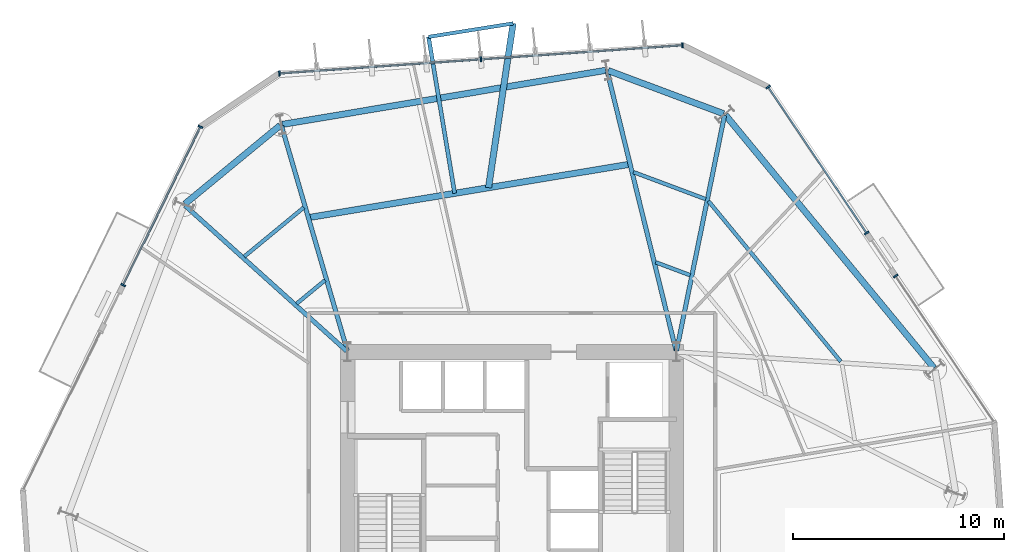
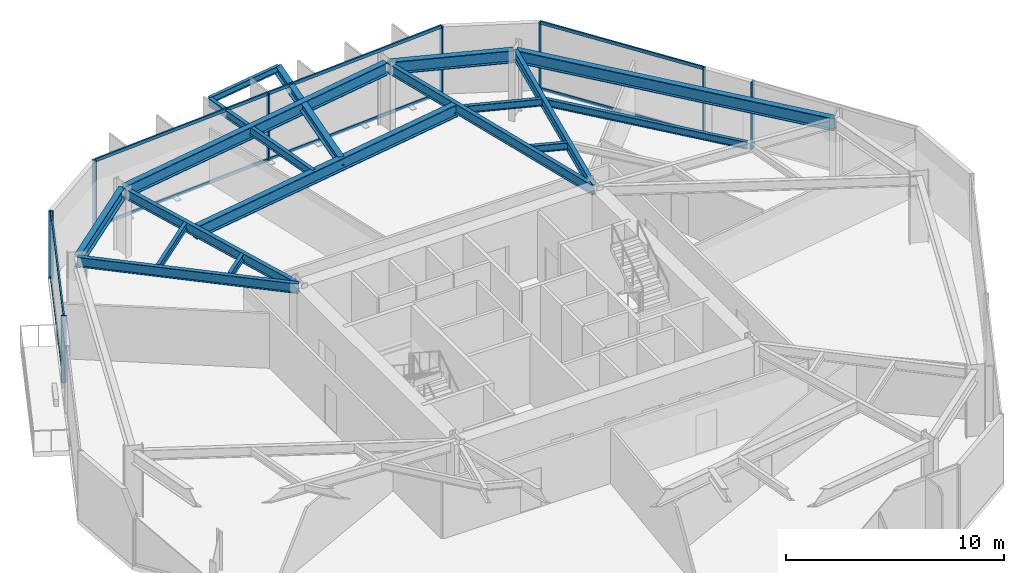
# One storey, part 4 of 10: 17 beams, 16 members, 4 elements without a shape of their own.
"""IFC4 building model written with IfcOpenShell, lengths in metres."""

from ifc_helpers import new_model, si_unit, direction, frame, origin, origin_2d, place, context, subcontext, project, spatial, rectangle, i_section, extrude, material, layer, layer_set, material_profile, profile_set, type_object, element, aggregate, save


model = new_model("IFC4")

# Units and contexts
model_context = context("Model", 3, precision=1e-05, world=origin(), true_north=direction((0.0, 1.0)))
body_context = subcontext(model_context, "Body", "Model", "MODEL_VIEW")
ifc_project = project(units=[si_unit("LENGTHUNIT", "METRE"), si_unit("AREAUNIT", "SQUARE_METRE"), si_unit("VOLUMEUNIT", "CUBIC_METRE"), si_unit("PLANEANGLEUNIT", "RADIAN"), si_unit("MASSUNIT", "GRAM", prefix="KILO")], contexts=[model_context])

# Site, building, storey
site_placement = place(None, origin())
site = spatial("IfcSite", under=ifc_project, at=site_placement, CompositionType="ELEMENT")
building_placement = place(site_placement, origin())
building = spatial("IfcBuilding", under=site, at=building_placement, Name="Kranzbogen Civic Tower", CompositionType="ELEMENT")
storey_placement = place(building_placement, frame((0.0, 0.0, 36.0)))
storey = spatial("IfcBuildingStorey", under=building, at=storey_placement, Name="L08", CompositionType="ELEMENT", Elevation=36.0)

# Beam
ifc_material_1 = material(Name="Steel S355", Category="steel")
ifc_material_profile_1 = material_profile(ifc_material_1, i_section(OverallWidth=0.18994140625, OverallDepth=0.449951171875, WebThickness=0.009521484375, FlangeThickness=0.0146484375, at=origin_2d()), Name="IPE 450")
ifc_profile_set_1 = profile_set([ifc_material_profile_1], Name="Steel S355")
beam_type_1 = type_object("IfcBeamType", Name="Braced Terrace Edge Beam IPE 450", PredefinedType="BEAM", material=ifc_profile_set_1)
beam_1_placement = place(storey_placement, frame((22.279052734375, 39.72705078125, 3.52490234375), z_axis=(-0.164972184398, 0.986298219797, 0.0), x_axis=(-0.986298219797, -0.164972184398, 0.0)))
element("IfcBeam", 1, at=beam_1_placement, inside=storey, type_object=beam_type_1, Name="L09 back-spanned terrace beam L09-TB1-2", PredefinedType="BEAM", context=body_context, shape_type="SweptSolid", body=[
    extrude(i_section(OverallWidth=0.18994140625, OverallDepth=0.449951171875, WebThickness=0.009521484375, FlangeThickness=0.0146484375, at=origin_2d()), origin(), (0.0, 0.0, 1.0), 7.5283203125),
])

# Curtain wall, member
ifc_material_2 = material(Name="Pale Anodised Aluminium", Category="aluminium")
ifc_layer = layer(ifc_material_2, 0.219970703125, Name="Pale Anodised Aluminium")
ifc_layer_set = layer_set([ifc_layer], Name="Pale Anodised Aluminium")
curtain_wall_type = type_object("IfcCurtainWallType", Name="Zone 1 Stick Curtain Wall System CW-02", PredefinedType="USERDEFINED", material=ifc_layer_set)
curtain_wall_1_placement = place(storey_placement, origin())
curtain_wall_1 = element("IfcCurtainWall", 2, at=curtain_wall_1_placement, inside=storey, type_object=curtain_wall_type, Name="L08 curtain wall CW-L08-F1-S1", ObjectType="STICK CURTAIN WALL", PredefinedType="USERDEFINED")
ifc_material_profile_2 = material_profile(ifc_material_2, rectangle(XDim=0.080078125, YDim=0.239990234375, at=origin_2d()), Name="ALU-M 80x240")
ifc_profile_set_2 = profile_set([ifc_material_profile_2], Name="Pale Anodised Aluminium")
member_type_1 = type_object("IfcMemberType", Name="Curtain Wall Mullion ALU-M 80x240", PredefinedType="MULLION", material=ifc_profile_set_2)
member_1_placement = place(storey_placement, frame((43.209716796875, 35.799072265625, 0.0), z_axis=(0.0, 0.0, 1.0), x_axis=(-0.559187234203, 0.829041396496, 0.0)))
member_1 = element("IfcMember", 3, at=member_1_placement, type_object=member_type_1, Name="CW-02 mullion 2", PredefinedType="MULLION", context=body_context, shape_type="SweptSolid", body=[
    extrude(rectangle(XDim=0.080078125, YDim=0.239990234375, at=origin_2d()), origin(), (0.0, 0.0, 1.0), 3.760009765625),
])
aggregate(curtain_wall_1, [member_1])

# Curtain wall, members
curtain_wall_2_placement = place(storey_placement, origin())
curtain_wall_2 = element("IfcCurtainWall", 4, at=curtain_wall_2_placement, inside=storey, type_object=curtain_wall_type, Name="L08 curtain wall CW-L08-F1-S2", ObjectType="STICK CURTAIN WALL", PredefinedType="USERDEFINED")
member_2_placement = place(storey_placement, frame((41.834228515625, 37.8388671875, 0.0), z_axis=(0.0, 0.0, 1.0), x_axis=(-0.559187234203, 0.829041396496, 0.0)))
member_2 = element("IfcMember", 5, at=member_2_placement, type_object=member_type_1, Name="CW-02 mullion 1", PredefinedType="MULLION", context=body_context, shape_type="SweptSolid", body=[
    extrude(rectangle(XDim=0.080078125, YDim=0.239990234375, at=origin_2d()), origin(), (0.0, 0.0, 1.0), 3.760009765625),
])
member_3_placement = place(storey_placement, frame((37.15966796875, 44.76904296875, 0.0), z_axis=(0.0, 0.0, 1.0), x_axis=(-0.559187234203, 0.829041396496, 0.0)))
member_3 = element("IfcMember", 6, at=member_3_placement, type_object=member_type_1, Name="CW-02 mullion 2", PredefinedType="MULLION", context=body_context, shape_type="SweptSolid", body=[
    extrude(rectangle(XDim=0.080078125, YDim=0.239990234375, at=origin_2d()), origin(), (0.0, 0.0, 1.0), 3.760009765625),
])

curtain_wall_3_placement = place(storey_placement, origin())
curtain_wall_3 = element("IfcCurtainWall", 7, at=curtain_wall_3_placement, inside=storey, type_object=curtain_wall_type, Name="L08 curtain wall CW-L08-F2", ObjectType="STICK CURTAIN WALL", PredefinedType="USERDEFINED")
member_4_placement = place(storey_placement, frame((33.092041015625, 46.7529296875, 0.0), z_axis=(0.0, 0.0, 1.0), x_axis=(-0.997564178208, -0.069754643976, 0.0)))
member_4 = element("IfcMember", 8, at=member_4_placement, type_object=member_type_1, Name="CW-02 mullion 1", PredefinedType="MULLION", context=body_context, shape_type="SweptSolid", body=[
    extrude(rectangle(XDim=0.080078125, YDim=0.239990234375, at=origin_2d()), origin(), (0.0, 0.0, 1.0), 3.760009765625),
])
member_5_placement = place(storey_placement, frame((23.52587890625, 46.083984375, 0.0), z_axis=(0.0, 0.0, 1.0), x_axis=(-0.997564178208, -0.069754643976, 0.0)))
member_5 = element("IfcMember", 9, at=member_5_placement, type_object=member_type_1, Name="CW-02 mullion 2", PredefinedType="MULLION", context=body_context, shape_type="SweptSolid", body=[
    extrude(rectangle(XDim=0.080078125, YDim=0.239990234375, at=origin_2d()), origin(), (0.0, 0.0, 1.0), 3.760009765625),
])
member_6_placement = place(storey_placement, frame((13.9599609375, 45.4150390625, 0.0), z_axis=(0.0, 0.0, 1.0), x_axis=(-0.997564178208, -0.069754643976, 0.0)))
member_6 = element("IfcMember", 10, at=member_6_placement, type_object=member_type_1, Name="CW-02 mullion 3", PredefinedType="MULLION", context=body_context, shape_type="SweptSolid", body=[
    extrude(rectangle(XDim=0.080078125, YDim=0.239990234375, at=origin_2d()), origin(), (0.0, 0.0, 1.0), 3.760009765625),
])

curtain_wall_4_placement = place(storey_placement, origin())
curtain_wall_4 = element("IfcCurtainWall", 11, at=curtain_wall_4_placement, inside=storey, type_object=curtain_wall_type, Name="L08 curtain wall CW-L08-F3-S1", ObjectType="STICK CURTAIN WALL", PredefinedType="USERDEFINED")
member_7_placement = place(storey_placement, frame((10.207763671875, 42.884033203125, 0.0), z_axis=(0.0, 0.0, 1.0), x_axis=(-0.438355774113, -0.898801543892, 0.0)))
member_7 = element("IfcMember", 12, at=member_7_placement, type_object=member_type_1, Name="CW-02 mullion 1", PredefinedType="MULLION", context=body_context, shape_type="SweptSolid", body=[
    extrude(rectangle(XDim=0.080078125, YDim=0.239990234375, at=origin_2d()), origin(), (0.0, 0.0, 1.0), 3.760009765625),
])
member_8_placement = place(storey_placement, frame((6.543212890625, 35.369873046875, 0.0), z_axis=(0.0, 0.0, 1.0), x_axis=(-0.438355774113, -0.898801543892, 0.0)))
member_8 = element("IfcMember", 13, at=member_8_placement, type_object=member_type_1, Name="CW-02 mullion 2", PredefinedType="MULLION", context=body_context, shape_type="SweptSolid", body=[
    extrude(rectangle(XDim=0.080078125, YDim=0.239990234375, at=origin_2d()), origin(), (0.0, 0.0, 1.0), 3.760009765625),
])

# Member
ifc_material_profile_3 = material_profile(ifc_material_2, rectangle(XDim=0.080078125, YDim=0.179931640625, at=origin_2d()), Name="ALU-T 80x180")
ifc_profile_set_3 = profile_set([ifc_material_profile_3], Name="Pale Anodised Aluminium")
member_type_2 = type_object("IfcMemberType", Name="Curtain Wall Transom ALU-T 80x180", PredefinedType="USERDEFINED", material=ifc_profile_set_3)
member_9_placement = place(storey_placement, frame((41.8173828125, 37.86376953125, 0.030029296875), z_axis=(-0.559192923252, 0.829037559213, 0.0), x_axis=(-0.829037559213, -0.559192923252, 0.0)))
member_9 = element("IfcMember", 14, at=member_9_placement, type_object=member_type_2, Name="CW-02 transom 1.1", ObjectType="TRANSOM", PredefinedType="USERDEFINED", context=body_context, shape_type="SweptSolid", body=[
    extrude(rectangle(XDim=0.080078125, YDim=0.179931640625, at=origin_2d()), origin(), (0.0, 0.0, 1.0), 8.29931640625),
])

member_10_placement = place(storey_placement, frame((41.8173828125, 37.86376953125, 3.72998046875), z_axis=(-0.559192923252, 0.829037559213, 0.0), x_axis=(-0.829037559213, -0.559192923252, 0.0)))
member_10 = element("IfcMember", 15, at=member_10_placement, type_object=member_type_2, Name="CW-02 transom 1.2", ObjectType="TRANSOM", PredefinedType="USERDEFINED", context=body_context, shape_type="SweptSolid", body=[
    extrude(rectangle(XDim=0.080078125, YDim=0.179931640625, at=origin_2d()), origin(), (0.0, 0.0, 1.0), 8.29931640625),
])

aggregate(curtain_wall_2, [member_2, member_3, member_9, member_10])

member_11_placement = place(storey_placement, frame((33.062255859375, 46.750732421875, 0.030029296875), z_axis=(-0.997565494445, -0.069735817861, 0.0), x_axis=(0.069735817861, -0.997565494445, 0.0)))
member_11 = element("IfcMember", 16, at=member_11_placement, type_object=member_type_2, Name="CW-02 transom 1.1", ObjectType="TRANSOM", PredefinedType="USERDEFINED", context=body_context, shape_type="SweptSolid", body=[
    extrude(rectangle(XDim=0.080078125, YDim=0.179931640625, at=origin_2d()), origin(), (0.0, 0.0, 1.0), 9.529541015625),
])

member_12_placement = place(storey_placement, frame((33.062255859375, 46.750732421875, 3.72998046875), z_axis=(-0.997565494445, -0.069735817861, 0.0), x_axis=(0.069735817861, -0.997565494445, 0.0)))
member_12 = element("IfcMember", 17, at=member_12_placement, type_object=member_type_2, Name="CW-02 transom 1.2", ObjectType="TRANSOM", PredefinedType="USERDEFINED", context=body_context, shape_type="SweptSolid", body=[
    extrude(rectangle(XDim=0.080078125, YDim=0.179931640625, at=origin_2d()), origin(), (0.0, 0.0, 1.0), 9.529541015625),
])

member_13_placement = place(storey_placement, frame((23.49609375, 46.081787109375, 0.030029296875), z_axis=(-0.997565494445, -0.069735817861, 0.0), x_axis=(0.069735817861, -0.997565494445, 0.0)))
member_13 = element("IfcMember", 18, at=member_13_placement, type_object=member_type_2, Name="CW-02 transom 2.1", ObjectType="TRANSOM", PredefinedType="USERDEFINED", context=body_context, shape_type="SweptSolid", body=[
    extrude(rectangle(XDim=0.080078125, YDim=0.179931640625, at=origin_2d()), origin(), (0.0, 0.0, 1.0), 9.529541015625),
])

member_14_placement = place(storey_placement, frame((23.49609375, 46.081787109375, 3.72998046875), z_axis=(-0.997565494445, -0.069735817861, 0.0), x_axis=(0.069735817861, -0.997565494445, 0.0)))
member_14 = element("IfcMember", 19, at=member_14_placement, type_object=member_type_2, Name="CW-02 transom 2.2", ObjectType="TRANSOM", PredefinedType="USERDEFINED", context=body_context, shape_type="SweptSolid", body=[
    extrude(rectangle(XDim=0.080078125, YDim=0.179931640625, at=origin_2d()), origin(), (0.0, 0.0, 1.0), 9.529541015625),
])

aggregate(curtain_wall_3, [member_4, member_5, member_6, member_11, member_12, member_13, member_14])

member_15_placement = place(storey_placement, frame((10.194580078125, 42.857177734375, 0.030029296875), z_axis=(-0.438332065158, -0.898813106632, 0.0), x_axis=(0.898813106632, -0.438332065158, 0.0)))
member_15 = element("IfcMember", 20, at=member_15_placement, type_object=member_type_2, Name="CW-02 transom 1.1", ObjectType="TRANSOM", PredefinedType="USERDEFINED", context=body_context, shape_type="SweptSolid", body=[
    extrude(rectangle(XDim=0.080078125, YDim=0.179931640625, at=origin_2d()), origin(), (0.0, 0.0, 1.0), 8.300048828125),
])

member_16_placement = place(storey_placement, frame((10.194580078125, 42.857177734375, 3.72998046875), z_axis=(-0.438332065158, -0.898813106632, 0.0), x_axis=(0.898813106632, -0.438332065158, 0.0)))
member_16 = element("IfcMember", 21, at=member_16_placement, type_object=member_type_2, Name="CW-02 transom 1.2", ObjectType="TRANSOM", PredefinedType="USERDEFINED", context=body_context, shape_type="SweptSolid", body=[
    extrude(rectangle(XDim=0.080078125, YDim=0.179931640625, at=origin_2d()), origin(), (0.0, 0.0, 1.0), 8.300048828125),
])

aggregate(curtain_wall_4, [member_7, member_8, member_15, member_16])

# Beams
ifc_material_profile_4 = material_profile(ifc_material_1, i_section(OverallWidth=0.300048828125, OverallDepth=0.5, WebThickness=0.014404296875, FlangeThickness=0.028076171875, at=origin_2d()), Name="HEB 500")
ifc_profile_set_4 = profile_set([ifc_material_profile_4], Name="Steel S355")
beam_type_2 = type_object("IfcBeamType", Name="Perimeter Tube Spandrel Beam HEB 500", PredefinedType="SPANDREL", material=ifc_profile_set_4)
beam_2_placement = place(storey_placement, frame((23.885986328125, 39.993896484375, 3.5), z_axis=(0.148123939949, 0.988968805582, 0.0), x_axis=(-0.988968805582, 0.148123939949, 0.0)))
element("IfcBeam", 22, at=beam_2_placement, inside=storey, type_object=beam_type_2, Name="L09 back-spanned terrace beam L09-TB1-1", PredefinedType="SPANDREL", context=body_context, shape_type="SweptSolid", body=[
    extrude(i_section(OverallWidth=0.300048828125, OverallDepth=0.5, WebThickness=0.014404296875, FlangeThickness=0.028076171875, at=origin_2d()), origin(), (0.0, 0.0, 1.0), 7.885009765625),
])
ifc_material_profile_5 = material_profile(ifc_material_1, i_section(OverallWidth=0.300048828125, OverallDepth=0.699951171875, WebThickness=0.01708984375, FlangeThickness=0.031982421875, at=origin_2d()), Name="HEB 700")
ifc_profile_set_5 = profile_set([ifc_material_profile_5], Name="Steel S355")
beam_type_3 = type_object("IfcBeamType", Name="Perimeter Tube Spandrel Beam HEB 700", PredefinedType="SPANDREL", material=ifc_profile_set_5)
beam_3_placement = place(storey_placement, frame((45.033935546875, 31.431884765625, 3.409912109375), z_axis=(-0.636074572579, 0.771627590304, 0.0), x_axis=(-0.771627590304, -0.636074572579, 0.0)))
element("IfcBeam", 23, at=beam_3_placement, inside=storey, type_object=beam_type_3, Name="L08 perimeter spandrel beam 08", PredefinedType="SPANDREL", context=body_context, shape_type="SweptSolid", body=[
    extrude(i_section(OverallWidth=0.300048828125, OverallDepth=0.699951171875, WebThickness=0.01708984375, FlangeThickness=0.031982421875, at=origin_2d()), origin(), (0.0, 0.0, 1.0), 15.5595703125),
])
beam_4_placement = place(storey_placement, frame((35.04296875, 43.5048828125, 3.409912109375), z_axis=(-0.936647646965, 0.350273015568, 0.0), x_axis=(-0.350273015568, -0.936647646965, 0.0)))
element("IfcBeam", 24, at=beam_4_placement, inside=storey, type_object=beam_type_3, Name="L08 perimeter spandrel beam 09", PredefinedType="SPANDREL", context=body_context, shape_type="SweptSolid", body=[
    extrude(i_section(OverallWidth=0.300048828125, OverallDepth=0.699951171875, WebThickness=0.01708984375, FlangeThickness=0.031982421875, at=origin_2d()), origin(), (0.0, 0.0, 1.0), 5.852783203125),
])
beam_5_placement = place(storey_placement, frame((29.446044921875, 45.56591796875, 3.409912109375), z_axis=(-0.986285563243, -0.165047834697, 0.0), x_axis=(0.165047834697, -0.986285563243, 0.0)))
element("IfcBeam", 25, at=beam_5_placement, inside=storey, type_object=beam_type_3, Name="L08 perimeter spandrel beam 10", PredefinedType="SPANDREL", context=body_context, shape_type="SweptSolid", body=[
    extrude(i_section(OverallWidth=0.300048828125, OverallDepth=0.699951171875, WebThickness=0.01708984375, FlangeThickness=0.031982421875, at=origin_2d()), origin(), (0.0, 0.0, 1.0), 15.558349609375),
])
beam_6_placement = place(storey_placement, frame((13.99609375, 42.949951171875, 3.409912109375), z_axis=(-0.77168336865, -0.636006901337, 0.0), x_axis=(0.636006901337, -0.77168336865, 0.0)))
element("IfcBeam", 26, at=beam_6_placement, inside=storey, type_object=beam_type_3, Name="L08 perimeter spandrel beam 11", PredefinedType="SPANDREL", context=body_context, shape_type="SweptSolid", body=[
    extrude(i_section(OverallWidth=0.300048828125, OverallDepth=0.699951171875, WebThickness=0.01708984375, FlangeThickness=0.031982421875, at=origin_2d()), origin(), (0.0, 0.0, 1.0), 5.853515625),
])
beam_7_placement = place(storey_placement, frame((30.60498046875, 41.110107421875, 3.39990234375), z_axis=(-0.9864781902, -0.163892587571, 0.0), x_axis=(0.163892587571, -0.9864781902, 0.0)))
element("IfcBeam", 27, at=beam_7_placement, inside=storey, type_object=beam_type_3, Name="L09 balcony back-span header girder L09-TB1", PredefinedType="SPANDREL", context=body_context, shape_type="SweptSolid", body=[
    extrude(i_section(OverallWidth=0.300048828125, OverallDepth=0.699951171875, WebThickness=0.01708984375, FlangeThickness=0.031982421875, at=origin_2d()), origin(), (0.0, 0.0, 1.0), 15.480224609375),
])
ifc_material_profile_6 = material_profile(ifc_material_1, i_section(OverallWidth=0.2099609375, OverallDepth=0.550048828125, WebThickness=0.010986328125, FlangeThickness=0.01708984375, at=origin_2d()), Name="IPE 550")
ifc_profile_set_6 = profile_set([ifc_material_profile_6], Name="Steel S355")
beam_type_4 = type_object("IfcBeamType", Name="Radial Tower Floor Girder IPE 550", PredefinedType="BEAM", material=ifc_profile_set_6)
beam_8_placement = place(storey_placement, frame((35.0869140625, 43.425048828125, 3.485107421875), z_axis=(-0.199633433694, -0.979870650725, 0.0), x_axis=(0.979870650725, -0.199633433694, 0.0)))
element("IfcBeam", 28, at=beam_8_placement, inside=storey, type_object=beam_type_4, Name="L08 radial floor girder 09", PredefinedType="BEAM", context=body_context, shape_type="SweptSolid", body=[
    extrude(i_section(OverallWidth=0.2099609375, OverallDepth=0.550048828125, WebThickness=0.010986328125, FlangeThickness=0.01708984375, at=origin_2d()), origin(), (0.0, 0.0, 1.0), 11.3955078125),
])
beam_9_placement = place(storey_placement, frame((29.51904296875, 45.51806640625, 3.485107421875), z_axis=(0.239215348776, -0.970966537482, 0.0), x_axis=(0.970966537482, 0.239215348776, 0.0)))
element("IfcBeam", 29, at=beam_9_placement, inside=storey, type_object=beam_type_4, Name="L08 radial floor girder 10", PredefinedType="BEAM", context=body_context, shape_type="SweptSolid", body=[
    extrude(i_section(OverallWidth=0.2099609375, OverallDepth=0.550048828125, WebThickness=0.010986328125, FlangeThickness=0.01708984375, at=origin_2d()), origin(), (0.0, 0.0, 1.0), 13.656494140625),
])
beam_10_placement = place(storey_placement, frame((14.05908203125, 42.929931640625, 3.485107421875), z_axis=(0.280944131918, -0.959724124288, 0.0), x_axis=(0.959724124288, 0.280944131918, 0.0)))
element("IfcBeam", 30, at=beam_10_placement, inside=storey, type_object=beam_type_4, Name="L08 radial floor girder 11", PredefinedType="BEAM", context=body_context, shape_type="SweptSolid", body=[
    extrude(i_section(OverallWidth=0.2099609375, OverallDepth=0.550048828125, WebThickness=0.010986328125, FlangeThickness=0.01708984375, at=origin_2d()), origin(), (0.0, 0.0, 1.0), 11.11962890625),
])
beam_11_placement = place(storey_placement, frame((9.47802734375, 39.14892578125, 3.485107421875), z_axis=(0.743311776894, -0.668945141496, 0.0), x_axis=(0.668945141496, 0.743311776894, 0.0)))
element("IfcBeam", 31, at=beam_11_placement, inside=storey, type_object=beam_type_4, Name="L08 radial floor girder 12", PredefinedType="BEAM", context=body_context, shape_type="SweptSolid", body=[
    extrude(i_section(OverallWidth=0.2099609375, OverallDepth=0.550048828125, WebThickness=0.010986328125, FlangeThickness=0.01708984375, at=origin_2d()), origin(), (0.0, 0.0, 1.0), 10.328125),
])
ifc_material_profile_7 = material_profile(ifc_material_1, i_section(OverallWidth=0.169921875, OverallDepth=0.360107421875, WebThickness=0.008056640625, FlangeThickness=0.0126953125, at=origin_2d()), Name="IPE 360")
ifc_profile_set_7 = profile_set([ifc_material_profile_7], Name="Steel S355")
beam_type_5 = type_object("IfcBeamType", Name="Secondary Composite Floor Joist IPE 360", PredefinedType="JOIST", material=ifc_profile_set_7)
beam_12_placement = place(storey_placement, frame((25.053955078125, 47.7919921875, 3.570068359375), z_axis=(-0.987547900495, -0.157318607378, 0.0), x_axis=(0.157318607378, -0.987547900495, 0.0)))
element("IfcBeam", 32, at=beam_12_placement, inside=storey, type_object=beam_type_5, Name="L09 terrace outer edge trimmer L09-TB1", PredefinedType="JOIST", context=body_context, shape_type="SweptSolid", body=[
    extrude(i_section(OverallWidth=0.169921875, OverallDepth=0.360107421875, WebThickness=0.008056640625, FlangeThickness=0.0126953125, at=origin_2d()), origin(), (0.0, 0.0, 1.0), 4.0673828125),
])
ifc_material_profile_8 = material_profile(ifc_material_1, i_section(OverallWidth=0.179931640625, OverallDepth=0.39990234375, WebThickness=0.008544921875, FlangeThickness=0.013427734375, at=origin_2d()), Name="IPE 400")
ifc_profile_set_8 = profile_set([ifc_material_profile_8], Name="Steel S355")
beam_type_6 = type_object("IfcBeamType", Name="Secondary Composite Floor Joist IPE 400", PredefinedType="JOIST", material=ifc_profile_set_8)
beam_13_placement = place(storey_placement, frame((40.60302734375, 31.740966796875, 3.56005859375), z_axis=(-0.636094561772, 0.771611112209, 0.0), x_axis=(-0.771611112209, -0.636094561772, 0.0)))
element("IfcBeam", 33, at=beam_13_placement, inside=storey, type_object=beam_type_6, Name="L08 secondary floor joist 1.08", PredefinedType="JOIST", context=body_context, shape_type="SweptSolid", body=[
    extrude(i_section(OverallWidth=0.179931640625, OverallDepth=0.39990234375, WebThickness=0.008544921875, FlangeThickness=0.013427734375, at=origin_2d()), origin(), (0.0, 0.0, 1.0), 9.874267578125),
])
beam_14_placement = place(storey_placement, frame((34.196044921875, 39.449951171875, 3.56005859375), z_axis=(-0.936622008794, 0.350341565678, 0.0), x_axis=(-0.350341565678, -0.936622008794, 0.0)))
element("IfcBeam", 34, at=beam_14_placement, inside=storey, type_object=beam_type_6, Name="L08 secondary floor joist 1.09", PredefinedType="JOIST", context=body_context, shape_type="SweptSolid", body=[
    extrude(i_section(OverallWidth=0.179931640625, OverallDepth=0.39990234375, WebThickness=0.008544921875, FlangeThickness=0.013427734375, at=origin_2d()), origin(), (0.0, 0.0, 1.0), 3.662109375),
])
beam_15_placement = place(storey_placement, frame((33.4609375, 35.839111328125, 3.56005859375), z_axis=(-0.936735458815, 0.350038112495, 0.0), x_axis=(-0.350038112495, -0.936735458815, 0.0)))
element("IfcBeam", 35, at=beam_15_placement, inside=storey, type_object=beam_type_6, Name="L08 secondary floor joist 2.09", PredefinedType="JOIST", context=body_context, shape_type="SweptSolid", body=[
    extrude(i_section(OverallWidth=0.179931640625, OverallDepth=0.39990234375, WebThickness=0.008544921875, FlangeThickness=0.013427734375, at=origin_2d()), origin(), (0.0, 0.0, 1.0), 1.750732421875),
])
beam_16_placement = place(storey_placement, frame((15.116943359375, 39.052978515625, 3.56005859375), z_axis=(-0.771712720426, -0.635971286406, 0.0), x_axis=(0.635971286406, -0.771712720426, 0.0)))
element("IfcBeam", 36, at=beam_16_placement, inside=storey, type_object=beam_type_6, Name="L08 secondary floor joist 1.11", PredefinedType="JOIST", context=body_context, shape_type="SweptSolid", body=[
    extrude(i_section(OverallWidth=0.179931640625, OverallDepth=0.39990234375, WebThickness=0.008544921875, FlangeThickness=0.013427734375, at=origin_2d()), origin(), (0.0, 0.0, 1.0), 3.661865234375),
])
beam_17_placement = place(storey_placement, frame((16.1279296875, 35.60107421875, 3.56005859375), z_axis=(-0.771773324836, -0.635897739477, 0.0), x_axis=(0.635897739477, -0.771773324836, 0.0)))
element("IfcBeam", 37, at=beam_17_placement, inside=storey, type_object=beam_type_6, Name="L08 secondary floor joist 2.11", PredefinedType="JOIST", context=body_context, shape_type="SweptSolid", body=[
    extrude(i_section(OverallWidth=0.179931640625, OverallDepth=0.39990234375, WebThickness=0.008544921875, FlangeThickness=0.013427734375, at=origin_2d()), origin(), (0.0, 0.0, 1.0), 1.751953125),
])

save(model, "model.ifc")
